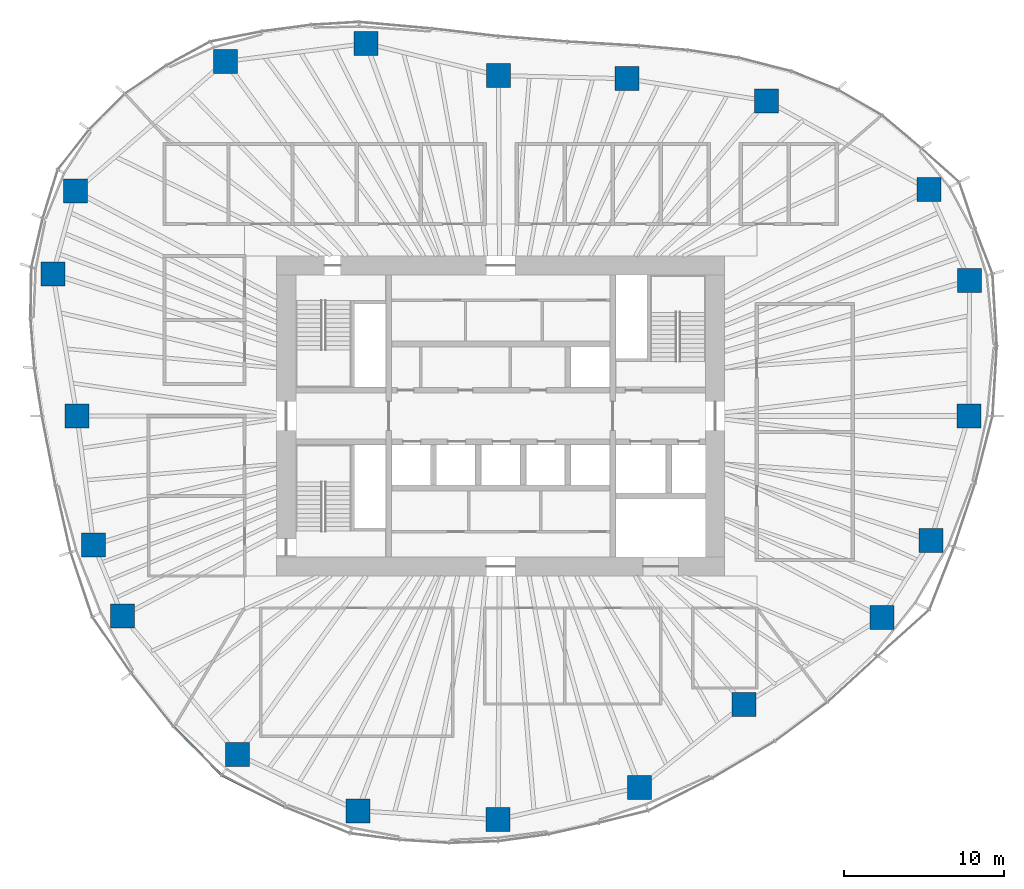
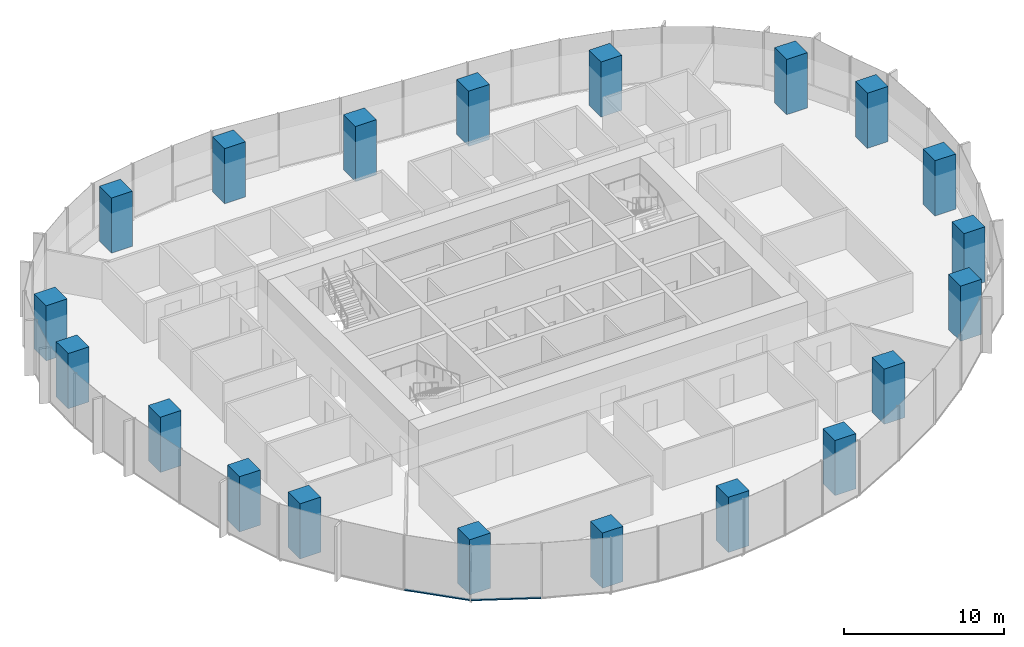
# One storey, part 1 of 18: 20 columns, 2 members, 2 elements without a shape of their own.
"""IFC4 building model written with IfcOpenShell, lengths in metres."""

from ifc_helpers import new_model, si_unit, direction, frame, origin, origin_2d, place, context, subcontext, project, spatial, rectangle, extrude, material, material_profile, profile_set, type_object, element, aggregate, save


model = new_model("IFC4")

# Units and contexts
model_context = context("Model", 3, precision=1e-05, world=origin(), true_north=direction((0.0, 1.0)))
body_context = subcontext(model_context, "Body", "Model", "MODEL_VIEW")
ifc_project = project(units=[si_unit("LENGTHUNIT", "METRE"), si_unit("AREAUNIT", "SQUARE_METRE"), si_unit("VOLUMEUNIT", "CUBIC_METRE"), si_unit("PLANEANGLEUNIT", "RADIAN"), si_unit("MASSUNIT", "GRAM", prefix="KILO")], contexts=[model_context])

# Site, building, storey
site_placement = place(None, origin())
site = spatial("IfcSite", under=ifc_project, at=site_placement, CompositionType="ELEMENT")
building_placement = place(site_placement, origin())
building = spatial("IfcBuilding", under=site, at=building_placement, Name="Ghaith Harvest Tower", CompositionType="ELEMENT")
storey_placement = place(building_placement, frame((0.0, 0.0, 142.800048828125)))
storey = spatial("IfcBuildingStorey", under=building, at=storey_placement, Name="L30", CompositionType="ELEMENT", Elevation=142.800048828125)

# Columns
ifc_material_1 = material(Name="Concrete C60/75", Category="concrete")
ifc_material_profile_1 = material_profile(ifc_material_1, rectangle(XDim=1.5, YDim=1.5, at=origin_2d()), Name="RC1500X1500")
ifc_profile_set_1 = profile_set([ifc_material_profile_1], Name="Concrete C60/75")
column_type = type_object("IfcColumnType", Name="TC3 RC1500X1500", PredefinedType="COLUMN", material=ifc_profile_set_1)
for number, where, z_axis, x_axis, name in (
    (1, (29.259033203125, 0.0, 0.0), (0.0, 0.0, 1.0), (1.0, 0.0, 0.0), "Perimeter column C01"),
    (2, (29.285888671875, 8.464111328125, 0.0), (0.0, 0.0, 1.0), (1.0, 0.0, 0.0), "Perimeter column C02"),
    (3, (26.763916015625, 14.14697265625, 0.0), (0.0, 0.0, 1.0), (1.0, 0.0, 0.0), "Perimeter column C03"),
    (4, (16.60791015625, 19.695068359375, 0.0), (0.0, 0.0, 1.0), (1.0, 0.0, 0.0), "Perimeter column C04"),
    (5, (7.8779296875, 21.072021484375, 0.0), (0.0, 0.0, 1.0), (1.0, 0.0, 0.0), "Perimeter column C05"),
    (6, (-0.14599609375, 21.27099609375, 0.0), (0.0, 0.0, 1.0), (1.0, 0.0, 0.0), "Perimeter column C06"),
    (7, (-8.406982421875, 23.27587890625, 0.0), (0.0, 0.0, 1.0), (1.0, 0.0, 0.0), "Perimeter column C07"),
    (8, (-17.201904296875, 22.14990234375, 0.0), (0.0, 0.0, 1.0), (1.0, 0.0, 0.0), "Perimeter column C08"),
    (9, (-26.572998046875, 14.0458984375, 0.0), (0.0, 0.0, 1.0), (1.0, 0.0, 0.0), "Perimeter column C09"),
    (10, (-27.98291015625, 8.867919921875, 0.0), (0.0, 0.0, 1.0), (1.0, 0.0, 0.0), "Perimeter column C10"),
    (11, (-26.47509765625, 0.0, 0.0), (0.0, 0.0, 1.0), (1.0, 0.0, 0.0), "Perimeter column C11"),
    (12, (-25.43603515625, -8.06103515625, 0.0), (0.0, 0.0, 1.0), (1.0, 0.0, 0.0), "Perimeter column C12"),
    (13, (-23.635009765625, -12.492919921875, 0.0), (0.0, 0.0, 1.0), (1.0, 0.0, 0.0), "Perimeter column C13"),
    (14, (-16.43701171875, -21.1640625, 0.0), (0.0, 0.0, 1.0), (1.0, 0.0, 0.0), "Perimeter column C14"),
    (15, (-8.908935546875, -24.66796875, 0.0), (0.0, 0.0, 1.0), (1.0, 0.0, 0.0), "Perimeter column C15"),
    (16, (-0.173095703125, -25.22412109375, 0.0), (0.0, 0.0, 1.0), (1.0, 0.0, 0.0), "Perimeter column C16"),
    (17, (8.674072265625, -23.202880859375, 0.0), (0.0, 0.0, 1.0), (1.0, 0.0, 0.0), "Perimeter column C17"),
    (18, (15.197998046875, -18.02294921875, 0.0), (0.0, 0.0, 1.0), (1.0, 0.0, 0.0), "Perimeter column C18"),
    (19, (23.825927734375, -12.593994140625, 0.0), (0.0, 0.0, 1.0), (1.0, 0.0, 0.0), "Perimeter column C19"),
    (20, (26.8779296875, -7.76806640625, 0.0), (0.0, 0.0, 1.0), (1.0, 0.0, 0.0), "Perimeter column C20"),
):
    element("IfcColumn", number, at=place(storey_placement, frame(where, z_axis=z_axis, x_axis=x_axis)), inside=storey, type_object=column_type, Name=name, PredefinedType="COLUMN", context=body_context, shape_type="SweptSolid", body=[
        extrude(rectangle(XDim=1.5, YDim=1.5, at=origin_2d()), origin(), (0.0, 0.0, 1.0), 4.199951171875),
    ])

# Curtain wall, member
ifc_material_2 = material(Name="Black anodised aluminium and fritted glass", Category="aluminium")
curtain_wall_type = type_object("IfcCurtainWallType", Name="CW-L CURTAIN WALL", PredefinedType="NOTDEFINED", material=ifc_material_2)
curtain_wall_1_placement = place(storey_placement, origin())
curtain_wall_1 = element("IfcCurtainWall", 21, at=curtain_wall_1_placement, inside=storey, type_object=curtain_wall_type, Name="Curtain wall CW-L bay 13 L30", PredefinedType="NOTDEFINED")
ifc_material_3 = material(Name="Aluminium, black anodised", Category="aluminium")
ifc_material_profile_2 = material_profile(ifc_material_3, rectangle(XDim=0.14990234375, YDim=0.080078125, at=origin_2d()), Name="CW-L TRANSOM 150x80")
ifc_profile_set_2 = profile_set([ifc_material_profile_2], Name="Aluminium, black anodised")
member_type = type_object("IfcMemberType", Name="CW-L TRANSOM 150x80", PredefinedType="USERDEFINED", material=ifc_profile_set_2)
member_1_placement = place(storey_placement, frame((-20.4130859375, -19.425048828125, 0.0400390625), z_axis=(0.702854410476, -0.711333731574, 0.0), x_axis=(0.711333731574, 0.702854410476, 0.0)))
member_1 = element("IfcMember", 22, at=member_1_placement, type_object=member_type, Name="CW-L transom 2 bay 13 L30", ObjectType="TRANSOM", PredefinedType="USERDEFINED", context=body_context, shape_type="SweptSolid", body=[
    extrude(rectangle(XDim=0.14990234375, YDim=0.080078125, at=origin_2d()), origin(), (0.0, 0.0, 1.0), 4.20361328125),
])
aggregate(curtain_wall_1, [member_1])

curtain_wall_2_placement = place(storey_placement, origin())
curtain_wall_2 = element("IfcCurtainWall", 23, at=curtain_wall_2_placement, inside=storey, type_object=curtain_wall_type, Name="Curtain wall CW-L bay 14 L30", PredefinedType="NOTDEFINED")
member_2_placement = place(storey_placement, frame((-17.394775390625, -22.461669921875, 0.0400390625), z_axis=(0.893057524502, -0.449942505138, 0.0), x_axis=(0.449942505138, 0.893057524502, 0.0)))
member_2 = element("IfcMember", 24, at=member_2_placement, type_object=member_type, Name="CW-L transom 1 bay 14 L30", ObjectType="TRANSOM", PredefinedType="USERDEFINED", context=body_context, shape_type="SweptSolid", body=[
    extrude(rectangle(XDim=0.14990234375, YDim=0.080078125, at=origin_2d()), origin(), (0.0, 0.0, 1.0), 4.362548828125),
])
aggregate(curtain_wall_2, [member_2])

save(model, "model.ifc")
